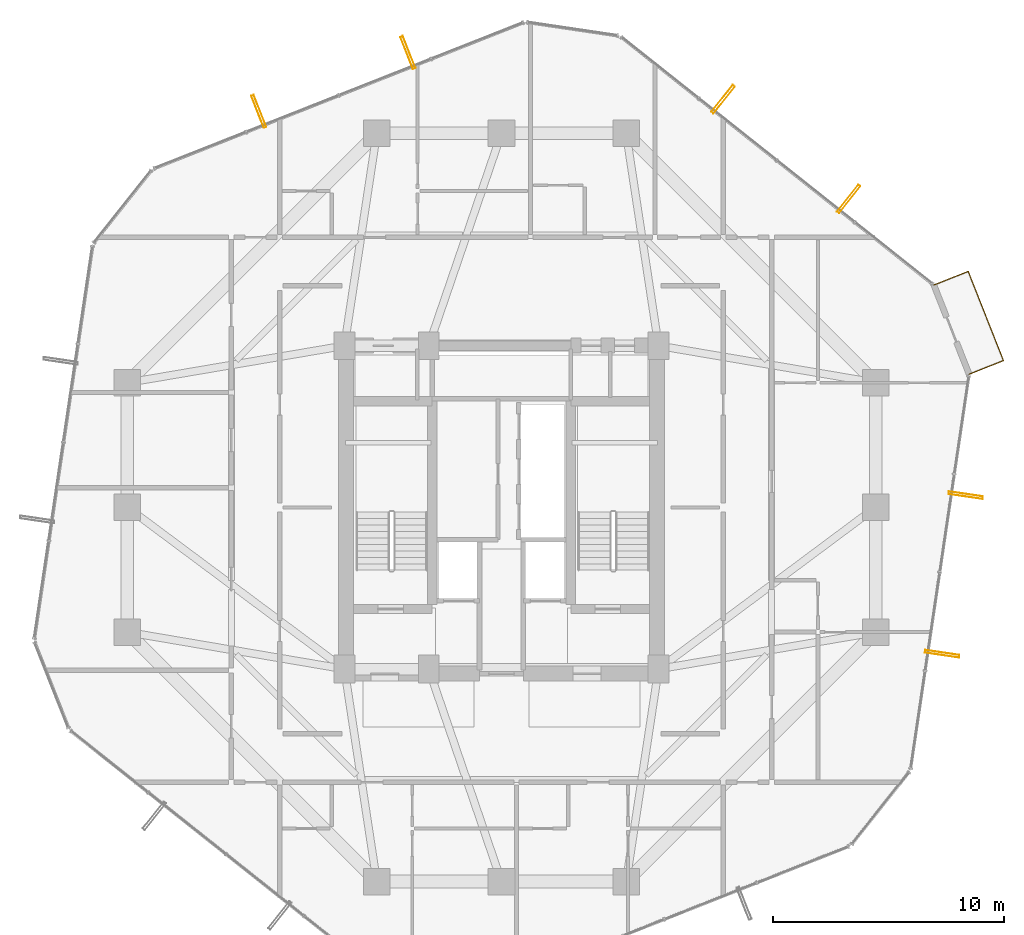
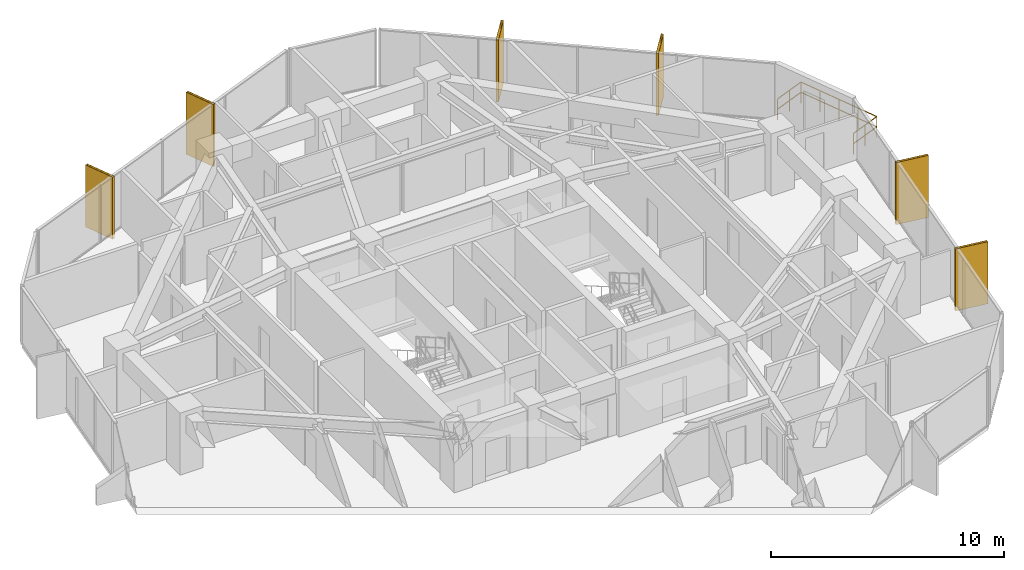
# One storey, part 29 of 29: 6 shading devices, 1 railing.
"""IFC4 building model written with IfcOpenShell, lengths in metres."""

from ifc_helpers import new_model, si_unit, direction, frame, origin, origin_2d, place, context, subcontext, project, spatial, hollow_rectangle, circle, extrude, material, material_profile, profile_set, type_object, element, save


model = new_model("IFC4")

# Units and contexts
model_context = context("Model", 3, precision=1e-05, world=origin(), true_north=direction((0.0, 1.0)))
body_context = subcontext(model_context, "Body", "Model", "MODEL_VIEW")
ifc_project = project(units=[si_unit("LENGTHUNIT", "METRE"), si_unit("AREAUNIT", "SQUARE_METRE"), si_unit("VOLUMEUNIT", "CUBIC_METRE"), si_unit("PLANEANGLEUNIT", "RADIAN"), si_unit("MASSUNIT", "GRAM", prefix="KILO")], contexts=[model_context])

# Site, building, storey
site_placement = place(None, origin())
site = spatial("IfcSite", under=ifc_project, at=site_placement, CompositionType="ELEMENT")
building_placement = place(site_placement, origin())
building = spatial("IfcBuilding", under=site, at=building_placement, Name="Veraguas Prism Commons", CompositionType="ELEMENT")
storey_placement = place(building_placement, frame((0.0, 0.0, 99.199951171875)))
storey = spatial("IfcBuildingStorey", under=building, at=storey_placement, Name="L27", CompositionType="ELEMENT", Elevation=99.199951171875)

# Shading devices
ifc_material_1 = material(Name="Anodised aluminium EN AW-6063 T6", Category="aluminium")
ifc_material_profile = material_profile(ifc_material_1, hollow_rectangle(XDim=0.1201171875, YDim=1.489990234375, WallThickness=0.006103515625, at=origin_2d()), Name="FIN120X1490X6")
ifc_profile_set = profile_set([ifc_material_profile], Name="Anodised aluminium EN AW-6063 T6")
shading_device_type = type_object("IfcShadingDeviceType", Name="Deep Pale-Metal Vertical Solar Fin 120x1490", PredefinedType="USERDEFINED", material=ifc_profile_set)
for number, where, z_axis, x_axis, name in (
    (1, (39.03271484375, 37.356689453125, -0.22998046875), (0.0, 0.0, 1.0), (-0.783260708484, 0.621693383063, 0.0), "Vertical Pale-Metal Solar Fin L27-F1A"),
    (2, (33.595703125, 41.672119140625, -0.22998046875), (0.0, 0.0, 1.0), (-0.783260708484, 0.621693383063, 0.0), "Vertical Pale-Metal Solar Fin L27-F1B"),
    (3, (19.94921875, 43.697021484375, -0.22998046875), (0.0, 0.0, 1.0), (-0.930033900071, -0.367473733373, 0.0), "Vertical Pale-Metal Solar Fin L27-F2A"),
    (4, (13.4931640625, 41.146240234375, -0.22998046875), (0.0, 0.0, 1.0), (-0.930033900071, -0.367473733373, 0.0), "Vertical Pale-Metal Solar Fin L27-F2B"),
    (5, (43.08349609375, 17.659423828125, -0.22998046875), (0.0, 0.0, 1.0), (0.14677536171, 0.989169850529, 0.0), "Vertical Pale-Metal Solar Fin L27-F6A"),
    (6, (44.102294921875, 24.52587890625, -0.22998046875), (0.0, 0.0, 1.0), (0.14677536171, 0.989169850529, 0.0), "Vertical Pale-Metal Solar Fin L27-F6B"),
):
    element("IfcShadingDevice", number, at=place(storey_placement, frame(where, z_axis=z_axis, x_axis=x_axis)), inside=storey, type_object=shading_device_type, Name=name, ObjectType="FIN", PredefinedType="USERDEFINED", context=body_context, shape_type="SweptSolid", body=[
        extrude(hollow_rectangle(XDim=0.1201171875, YDim=1.489990234375, WallThickness=0.006103515625, at=origin_2d()), origin(), (0.0, 0.0, 1.0), 3.25),
    ])

# Railing
ifc_material_2 = material(Name="Stainless steel AISI 316", Category="steel")
railing_type = type_object("IfcRailingType", Name="Loggia and Sky Pool Glazed Balustrade 1120", PredefinedType="BALUSTRADE", material=ifc_material_2)
railing_placement = place(storey_placement, frame((44.248291015625, 29.767578125, 0.0)))
element("IfcRailing", 7, at=railing_placement, inside=storey, type_object=railing_type, Name="Recessed Corner Loggia L27-C1 Guard", PredefinedType="BALUSTRADE", context=body_context, shape_type="SweptSolid", body=[
    extrude(circle(Radius=0.02392578125, at=origin_2d()), frame((0.0, 0.0, 1.09619140625), z_axis=(0.929994687023, 0.367572961614, 0.0), x_axis=(-0.367572961614, 0.929994687023, 0.0)), (0.0, 0.0, 1.0), 1.60009765625),
    extrude(circle(Radius=0.02392578125, at=origin_2d()), frame((0.0, 0.0, 0.56005859375), z_axis=(0.929994687023, 0.367572961614, 0.0), x_axis=(-0.367572961614, 0.929994687023, 0.0)), (0.0, 0.0, 1.0), 1.60009765625),
    extrude(circle(Radius=0.02392578125, at=origin_2d()), frame((1.488037109375, 0.588134765625, 1.09619140625), z_axis=(-0.36746498439, 0.930037356909, 0.0), x_axis=(-0.930037356909, -0.36746498439, 0.0)), (0.0, 0.0, 1.0), 4.153076171875),
    extrude(circle(Radius=0.02392578125, at=origin_2d()), frame((1.488037109375, 0.588134765625, 0.56005859375), z_axis=(-0.36746498439, 0.930037356909, 0.0), x_axis=(-0.930037356909, -0.36746498439, 0.0)), (0.0, 0.0, 1.0), 4.153076171875),
    extrude(circle(Radius=0.02392578125, at=origin_2d()), frame((-0.0380859375, 4.45068359375, 1.09619140625), z_axis=(-0.930046839767, -0.367440982799, 0.0), x_axis=(0.367440982799, -0.930046839767, 0.0)), (0.0, 0.0, 1.0), 1.599853515625),
    extrude(circle(Radius=0.02392578125, at=origin_2d()), frame((-0.0380859375, 4.45068359375, 0.56005859375), z_axis=(-0.930046839767, -0.367440982799, 0.0), x_axis=(0.367440982799, -0.930046839767, 0.0)), (0.0, 0.0, 1.0), 1.599853515625),
    extrude(circle(Radius=0.02099609375, at=origin_2d()), origin(), (0.0, 0.0, 1.0), 1.072021484375),
    extrude(circle(Radius=0.02099609375, at=origin_2d()), frame((0.744140625, 0.2939453125, 0.0)), (0.0, 0.0, 1.0), 1.072021484375),
    extrude(circle(Radius=0.02099609375, at=origin_2d()), frame((1.488037109375, 0.588134765625, 0.0)), (0.0, 0.0, 1.0), 1.072021484375),
    extrude(circle(Radius=0.02099609375, at=origin_2d()), frame((1.1064453125, 1.5537109375, 0.0)), (0.0, 0.0, 1.0), 1.072021484375),
    extrude(circle(Radius=0.02099609375, at=origin_2d()), frame((0.72509765625, 2.51953125, 0.0)), (0.0, 0.0, 1.0), 1.072021484375),
    extrude(circle(Radius=0.02099609375, at=origin_2d()), frame((0.343505859375, 3.485107421875, 0.0)), (0.0, 0.0, 1.0), 1.072021484375),
    extrude(circle(Radius=0.02099609375, at=origin_2d()), frame((-0.0380859375, 4.45068359375, 0.0)), (0.0, 0.0, 1.0), 1.072021484375),
    extrude(circle(Radius=0.02099609375, at=origin_2d()), frame((-0.7822265625, 4.15673828125, 0.0)), (0.0, 0.0, 1.0), 1.072021484375),
    extrude(circle(Radius=0.02099609375, at=origin_2d()), frame((-1.526123046875, 3.86279296875, 0.0)), (0.0, 0.0, 1.0), 1.072021484375),
])

save(model, "model.ifc")
